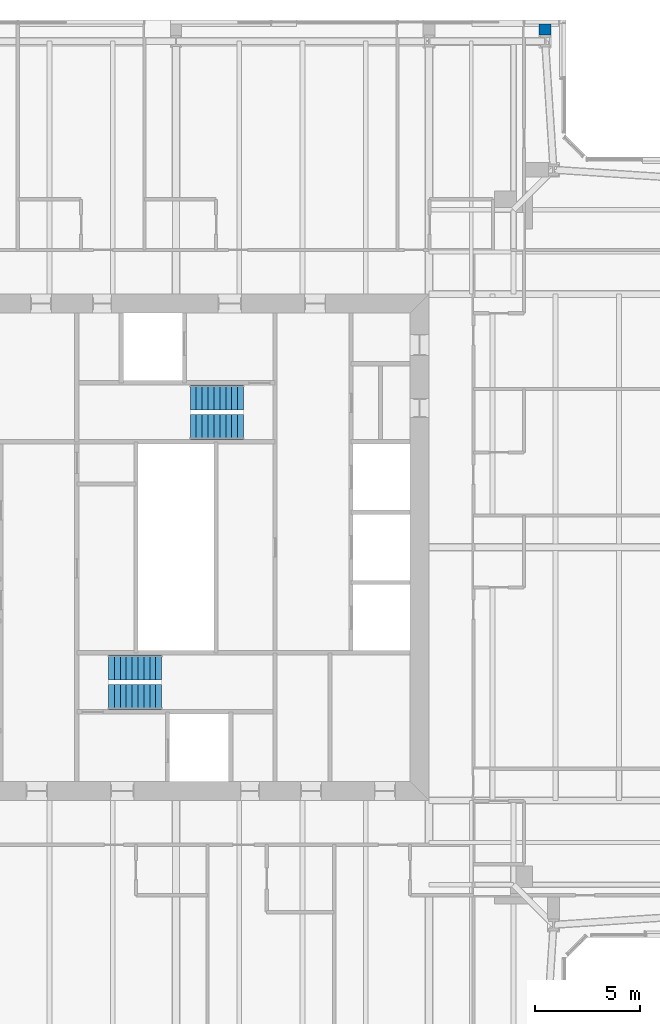
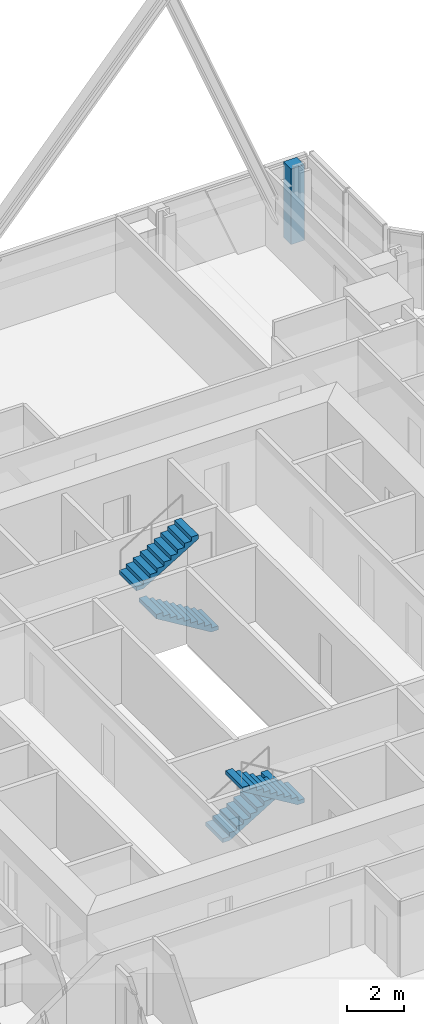
# One storey, part 15 of 20: 4 stair flights, 1 wall, 2 elements without a shape of their own.
"""IFC4 building model written with IfcOpenShell, lengths in metres."""

import ifcopenshell
import ifcopenshell.guid

model = None  # the IFC model being written
_history = None  # IfcOwnerHistory: only IFC2X3 demands one
_inside = {}  # id of a spatial element -> (the spatial element, [elements in it])
_under = {}  # id of a project, library or spatial element -> (it, [spatial elements below it])
_declared = {}  # id of a project -> (the project, [libraries it declares])
_typed = {}  # id of a type object -> (the type object, [elements of that type])
_made_of = {}  # id of a material, layer set ... -> (it, [elements and type objects made of it])


def new_model(schema):
    """Start an empty IFC model of exactly this schema.

    Asked for "IFC4X3", IfcOpenShell would pick the latest addendum, in which some entities
    have other attributes; the version numbers below select the first issue.
    IFC2X3 requires an IfcOwnerHistory on every rooted entity: one is made here for all.
    """
    global model, _history
    if schema == "IFC4X3":
        model = ifcopenshell.file(schema_version=(4, 3, 0, 0))
    else:
        model = ifcopenshell.file(schema=schema)
    _inside.clear()
    _under.clear()
    _declared.clear()
    _typed.clear()
    _made_of.clear()
    _history = None
    if model.schema == "IFC2X3":
        org = make("IfcOrganization", Name="unknown")
        user = make(
            "IfcPersonAndOrganization",
            ThePerson=make("IfcPerson", FamilyName="unknown"),
            TheOrganization=org,
        )
        app = make(
            "IfcApplication",
            ApplicationDeveloper=org,
            Version="unknown",
            ApplicationFullName="unknown",
            ApplicationIdentifier="unknown",
        )
        _history = make(
            "IfcOwnerHistory",
            OwningUser=user,
            OwningApplication=app,
            ChangeAction="ADDED",
            CreationDate=0,
        )
    return model


def make(cls, **values):
    """One entity of the class cls with the attributes given. An attribute that is None is left unset."""
    return model.create_entity(
        cls, **{name: value for name, value in values.items() if value is not None}
    )


def rooted(cls, **values):
    """An entity with a GlobalId (a new one), such as an element, a storey or a relation."""
    return make(cls, GlobalId=ifcopenshell.guid.new(), OwnerHistory=_history, **values)


def si_unit(unit_type, name, prefix=None):
    """IfcSIUnit, for example si_unit("LENGTHUNIT", "METRE", prefix="MILLI")."""
    return make("IfcSIUnit", UnitType=unit_type, Prefix=prefix, Name=name)


def assignment(units):
    """IfcUnitAssignment: the units of a project."""
    return None if units is None else make("IfcUnitAssignment", Units=units)


def point(xyz):
    """IfcCartesianPoint."""
    return None if xyz is None else make("IfcCartesianPoint", Coordinates=xyz)


def direction(xyz):
    """IfcDirection."""
    return None if xyz is None else make("IfcDirection", DirectionRatios=xyz)


def frame(location, z_axis=None, x_axis=None):
    """IfcAxis2Placement3D, a coordinate frame: its origin and axes. An axis left out is left unset."""
    return make(
        "IfcAxis2Placement3D",
        Location=point(location),
        Axis=direction(z_axis),
        RefDirection=direction(x_axis),
    )


def frame_2d(location, x_axis=None):
    """IfcAxis2Placement2D, a coordinate frame in the plane: its origin and x axis."""
    return make(
        "IfcAxis2Placement2D", Location=point(location), RefDirection=direction(x_axis)
    )


def origin():
    """The frame at (0, 0, 0) with its axes left unset."""
    return frame((0.0, 0.0, 0.0))


def place(relative_to, where):
    """IfcLocalPlacement: puts the frame where relative to a parent placement (None: the world)."""
    return make(
        "IfcLocalPlacement", PlacementRelTo=relative_to, RelativePlacement=where
    )


def context(
    kind, dimensions, precision=None, world=None, true_north=None, identifier=None
):
    """IfcGeometricRepresentationContext, for example the 3D "Model" context."""
    return make(
        "IfcGeometricRepresentationContext",
        ContextIdentifier=identifier,
        ContextType=kind,
        CoordinateSpaceDimension=dimensions,
        Precision=precision,
        WorldCoordinateSystem=world,
        TrueNorth=true_north,
    )


def subcontext(parent, identifier, kind, view, scale=None):
    """IfcGeometricRepresentationSubContext, for example "Body" below "Model"."""
    return make(
        "IfcGeometricRepresentationSubContext",
        ContextIdentifier=identifier,
        ContextType=kind,
        ParentContext=parent,
        TargetScale=scale,
        TargetView=view,
    )


def project(units=None, contexts=None):
    """IfcProject with its units and contexts."""
    return rooted(
        "IfcProject",
        Name="project",
        RepresentationContexts=contexts,
        UnitsInContext=assignment(units),
    )


def spatial(cls, under=None, at=None, **own):
    """A site, building, storey or space (cls), placed at a placement, below another one or the project."""
    s = rooted(cls, ObjectPlacement=at, **own)
    if under is not None:
        _under.setdefault(under.id(), (under, []))[1].append(s)
    return s


def polyline(points):
    """IfcPolyline through the points."""
    return make("IfcPolyline", Points=[point(p) for p in points])


def profile(cls, at=None, kind="AREA", **sizes):
    """A parametric profile (cls). Its sizes go by their IFC names, for example OverallWidth=200.0."""
    return make(cls, ProfileType=kind, Position=at, **sizes)


def rectangle(**sizes):
    """IfcRectangleProfileDef."""
    return profile("IfcRectangleProfileDef", **sizes)


def outline(outer, holes=None, kind="AREA"):
    """IfcArbitraryClosedProfileDef: a profile drawn as a closed curve; with holes, ...WithVoids."""
    if holes is None:
        return make("IfcArbitraryClosedProfileDef", ProfileType=kind, OuterCurve=outer)
    return make(
        "IfcArbitraryProfileDefWithVoids",
        ProfileType=kind,
        OuterCurve=outer,
        InnerCurves=holes,
    )


def extrude(swept, where, along, depth):
    """IfcExtrudedAreaSolid: the profile swept, set in the frame where, extruded along a direction by depth."""
    return make(
        "IfcExtrudedAreaSolid",
        SweptArea=swept,
        Position=where,
        ExtrudedDirection=direction(along),
        Depth=depth,
    )


def shape(context_of_items, identifier, shape_type, items):
    """IfcShapeRepresentation: the items that make up one representation, for example the "Body"."""
    return make(
        "IfcShapeRepresentation",
        ContextOfItems=context_of_items,
        RepresentationIdentifier=identifier,
        RepresentationType=shape_type,
        Items=items,
    )


def material(Name=None, Category=None):
    """IfcMaterial."""
    return make("IfcMaterial", Name=Name, Category=Category)


def layer(
    of_material, thickness, ventilated=None, Name=None, Category=None, Priority=None
):
    """IfcMaterialLayer: one layer of a wall or slab, of a material (None: an air gap)."""
    return make(
        "IfcMaterialLayer",
        Material=of_material,
        LayerThickness=thickness,
        IsVentilated=ventilated,
        Name=Name,
        Category=Category,
        Priority=Priority,
    )


def layer_set(layers, Name=None):
    """IfcMaterialLayerSet."""
    return make("IfcMaterialLayerSet", MaterialLayers=layers, LayerSetName=Name)


def made_of(thing, what):
    """Note that an element or type object is made of a material, layer set ...; save() writes the relation."""
    if what is not None:
        _made_of.setdefault(what.id(), (what, []))[1].append(thing)
    return thing


def type_object(cls, material=None, **own):
    """A type object (cls), such as IfcWallType, which elements share."""
    return made_of(rooted(cls, **own), material)


def element(
    cls,
    number,
    at=None,
    inside=None,
    cuts=None,
    type_object=None,
    material=None,
    context=None,
    identifier="Body",
    shape_type=None,
    held_by="IfcProductDefinitionShape",
    body=None,
    shapes=None,
    **own,
):
    """One element of the class cls, such as IfcWall. Its Tag is "e" and its number.

    at: its placement. inside: the storey or other place that contains it. cuts: it is an
    opening in that element (IfcRelVoidsElement). A single representation is given by context,
    identifier, shape_type and body (its items); several are given by shapes. held_by: the class
    of the entity that holds the representations. save() writes the other relations.
    """
    e = rooted(cls, Tag="e%d" % number, ObjectPlacement=at, **own)
    if body is not None:
        shapes = [shape(context, identifier, shape_type, body)]
    if shapes is not None:
        e.Representation = make(held_by, Representations=shapes)
    if inside is not None:
        _inside.setdefault(inside.id(), (inside, []))[1].append(e)
    if cuts is not None:
        rooted(
            "IfcRelVoidsElement", RelatingBuildingElement=cuts, RelatedOpeningElement=e
        )
    if type_object is not None:
        _typed.setdefault(type_object.id(), (type_object, []))[1].append(e)
    return made_of(e, material)


def aggregate(whole, parts):
    """IfcRelAggregates: a whole, such as a stair, and the parts it consists of."""
    return rooted("IfcRelAggregates", RelatingObject=whole, RelatedObjects=parts)


def save(model, path):
    """Write the relations noted so far, then the file.

    IfcRelAggregates (storeys below a building ...), IfcRelContainedInSpatialStructure (elements
    in a storey), IfcRelDefinesByType, IfcRelAssociatesMaterial and IfcRelDeclares: one each for
    every whole, place, type object, material and project.
    """
    for whole, parts in _under.values():
        aggregate(whole, parts)
    for where, things in _inside.values():
        rooted(
            "IfcRelContainedInSpatialStructure",
            RelatedElements=things,
            RelatingStructure=where,
        )
    for kind, things in _typed.values():
        rooted("IfcRelDefinesByType", RelatedObjects=things, RelatingType=kind)
    for what, things in _made_of.values():
        rooted("IfcRelAssociatesMaterial", RelatedObjects=things, RelatingMaterial=what)
    for by, libraries in _declared.values():
        rooted("IfcRelDeclares", RelatingContext=by, RelatedDefinitions=libraries)
    model.write(path)


model = new_model("IFC4")

# Units and contexts
model_context = context("Model", 3, precision=1e-05, world=origin(), true_north=direction((0.0, 1.0)))
body_context = subcontext(model_context, "Body", "Model", "MODEL_VIEW")
ifc_project = project(units=[si_unit("LENGTHUNIT", "METRE"), si_unit("AREAUNIT", "SQUARE_METRE"), si_unit("VOLUMEUNIT", "CUBIC_METRE"), si_unit("PLANEANGLEUNIT", "RADIAN"), si_unit("MASSUNIT", "GRAM", prefix="KILO")], contexts=[model_context])

# Site, building, storey
site_placement = place(None, origin())
site = spatial("IfcSite", under=ifc_project, at=site_placement, CompositionType="ELEMENT")
building_placement = place(site_placement, origin())
building = spatial("IfcBuilding", under=site, at=building_placement, Name="Fenwick Lantern Interchange", CompositionType="ELEMENT")
storey_placement = place(building_placement, frame((0.0, 0.0, 256.0)))
storey = spatial("IfcBuildingStorey", under=building, at=storey_placement, Name="L60", CompositionType="ELEMENT", Elevation=256.0)

# Wall
ifc_material_1 = material(Name="Fire-rated gypsum board encasement on steel studs, 2 hour", Category="steel")
ifc_layer = layer(ifc_material_1, 0.554931640625)
ifc_layer_set = layer_set([ifc_layer], Name="COLUMN PIER 555")
wall_type = type_object("IfcWallType", Name="COLUMN PIER 555", PredefinedType="PARTITIONING", material=ifc_layer_set)
wall_placement = place(storey_placement, frame((42.5, 49.81005859375, 0.0), z_axis=(0.0, 0.0, 1.0), x_axis=(0.0, -1.0, 0.0)))
element("IfcWall", 1, at=wall_placement, inside=storey, type_object=wall_type, Name="L60/W/PIER/CN1", PredefinedType="PARTITIONING", context=body_context, shape_type="SweptSolid", body=[
    extrude(rectangle(XDim=0.525634765625, YDim=0.554931640625, at=frame_2d((0.2626953125, 0.0))), origin(), (0.0, 0.0, 1.0), 3.25),
])

# Stair, stair flights
ifc_material_2 = material(Name="Precast concrete f'c 35 MPa", Category="concrete")
stair_type = type_object("IfcStairType", Name="EXIT STAIR 1200", PredefinedType="HALF_TURN_STAIR", material=ifc_material_2)
stair_1_placement = place(storey_placement, origin())
stair_1 = element("IfcStair", 2, at=stair_1_placement, inside=storey, type_object=stair_type, Name="Exit stair ST1", PredefinedType="HALF_TURN_STAIR")
stair_flight_type = type_object("IfcStairFlightType", Name="STAIR FLIGHT 1200", PredefinedType="STRAIGHT", material=ifc_material_2)
stair_flight_1_placement = place(storey_placement, frame((21.800048828125, 19.300048828125, 0.0), z_axis=(0.0, 0.0, 1.0), x_axis=(1.0, 0.0, 0.0)))
stair_flight_1 = element("IfcStairFlight", 3, at=stair_flight_1_placement, type_object=stair_flight_type, Name="ST1 flight 1", NumberOfRisers=10, NumberOfTreads=9, PredefinedType="STRAIGHT", RiserHeight=0.17, TreadLength=0.28, context=body_context, shape_type="SweptSolid", body=[
    extrude(outline(polyline([(0.0, 0.0), (0.0, 0.169921875), (0.280029296875, 0.169921875), (0.280029296875, 0.340087890625), (0.56005859375, 0.340087890625), (0.56005859375, 0.510009765625), (0.840087890625, 0.510009765625), (0.840087890625, 0.679931640625), (1.1201171875, 0.679931640625), (1.1201171875, 0.85009765625), (1.39990234375, 0.85009765625), (1.39990234375, 1.02001953125), (1.679931640625, 1.02001953125), (1.679931640625, 1.18994140625), (1.9599609375, 1.18994140625), (1.9599609375, 1.360107421875), (2.239990234375, 1.360107421875), (2.239990234375, 1.530029296875), (2.52001953125, 1.530029296875), (2.52001953125, 1.699951171875), (2.52001953125, 1.354736328125), (0.288818359375, 0.0), (0.0, 0.0)])), frame((0.0, 0.60009765625, 0.0), z_axis=(0.0, -1.0, 0.0), x_axis=(1.0, 0.0, 0.0)), (0.0, 0.0, 1.0), 1.199951171875),
])
stair_flight_2_placement = place(storey_placement, frame((24.320068359375, 17.89990234375, 1.699951171875), z_axis=(0.0, 0.0, 1.0), x_axis=(-1.0, 0.0, 0.0)))
stair_flight_2 = element("IfcStairFlight", 4, at=stair_flight_2_placement, type_object=stair_flight_type, Name="ST1 flight 2", NumberOfRisers=10, NumberOfTreads=9, PredefinedType="STRAIGHT", RiserHeight=0.17, TreadLength=0.28, context=body_context, shape_type="SweptSolid", body=[
    extrude(outline(polyline([(0.0, 0.0), (0.0, 0.169921875), (0.280029296875, 0.169921875), (0.280029296875, 0.340087890625), (0.56005859375, 0.340087890625), (0.56005859375, 0.510009765625), (0.840087890625, 0.510009765625), (0.840087890625, 0.679931640625), (1.1201171875, 0.679931640625), (1.1201171875, 0.85009765625), (1.39990234375, 0.85009765625), (1.39990234375, 1.02001953125), (1.679931640625, 1.02001953125), (1.679931640625, 1.18994140625), (1.9599609375, 1.18994140625), (1.9599609375, 1.360107421875), (2.239990234375, 1.360107421875), (2.239990234375, 1.530029296875), (2.52001953125, 1.530029296875), (2.52001953125, 1.699951171875), (2.52001953125, 1.354736328125), (0.288818359375, 0.0), (0.0, 0.0)])), frame((0.0, 0.60009765625, 0.0), z_axis=(0.0, -1.0, 0.0), x_axis=(1.0, 0.0, 0.0)), (0.0, 0.0, 1.0), 1.199951171875),
])
aggregate(stair_1, [stair_flight_1, stair_flight_2])

stair_2_placement = place(storey_placement, origin())
stair_2 = element("IfcStair", 5, at=stair_2_placement, inside=storey, type_object=stair_type, Name="Exit stair ST2", PredefinedType="HALF_TURN_STAIR")
stair_flight_3_placement = place(storey_placement, frame((28.199951171875, 30.699951171875, 0.0), z_axis=(0.0, 0.0, 1.0), x_axis=(-1.0, 0.0, 0.0)))
stair_flight_3 = element("IfcStairFlight", 6, at=stair_flight_3_placement, type_object=stair_flight_type, Name="ST2 flight 1", NumberOfRisers=10, NumberOfTreads=9, PredefinedType="STRAIGHT", RiserHeight=0.17, TreadLength=0.28, context=body_context, shape_type="SweptSolid", body=[
    extrude(outline(polyline([(0.0, 0.0), (0.0, 0.169921875), (0.280029296875, 0.169921875), (0.280029296875, 0.340087890625), (0.56005859375, 0.340087890625), (0.56005859375, 0.510009765625), (0.840087890625, 0.510009765625), (0.840087890625, 0.679931640625), (1.1201171875, 0.679931640625), (1.1201171875, 0.85009765625), (1.39990234375, 0.85009765625), (1.39990234375, 1.02001953125), (1.679931640625, 1.02001953125), (1.679931640625, 1.18994140625), (1.9599609375, 1.18994140625), (1.9599609375, 1.360107421875), (2.239990234375, 1.360107421875), (2.239990234375, 1.530029296875), (2.52001953125, 1.530029296875), (2.52001953125, 1.699951171875), (2.52001953125, 1.354736328125), (0.288818359375, 0.0), (0.0, 0.0)])), frame((0.0, 0.60009765625, 0.0), z_axis=(0.0, -1.0, 0.0), x_axis=(1.0, 0.0, 0.0)), (0.0, 0.0, 1.0), 1.199951171875),
])
stair_flight_4_placement = place(storey_placement, frame((25.679931640625, 32.10009765625, 1.699951171875), z_axis=(0.0, 0.0, 1.0), x_axis=(1.0, 0.0, 0.0)))
stair_flight_4 = element("IfcStairFlight", 7, at=stair_flight_4_placement, type_object=stair_flight_type, Name="ST2 flight 2", NumberOfRisers=10, NumberOfTreads=9, PredefinedType="STRAIGHT", RiserHeight=0.17, TreadLength=0.28, context=body_context, shape_type="SweptSolid", body=[
    extrude(outline(polyline([(0.0, 0.0), (0.0, 0.169921875), (0.280029296875, 0.169921875), (0.280029296875, 0.340087890625), (0.56005859375, 0.340087890625), (0.56005859375, 0.510009765625), (0.840087890625, 0.510009765625), (0.840087890625, 0.679931640625), (1.1201171875, 0.679931640625), (1.1201171875, 0.85009765625), (1.39990234375, 0.85009765625), (1.39990234375, 1.02001953125), (1.679931640625, 1.02001953125), (1.679931640625, 1.18994140625), (1.9599609375, 1.18994140625), (1.9599609375, 1.360107421875), (2.239990234375, 1.360107421875), (2.239990234375, 1.530029296875), (2.52001953125, 1.530029296875), (2.52001953125, 1.699951171875), (2.52001953125, 1.354736328125), (0.288818359375, 0.0), (0.0, 0.0)])), frame((0.0, 0.60009765625, 0.0), z_axis=(0.0, -1.0, 0.0), x_axis=(1.0, 0.0, 0.0)), (0.0, 0.0, 1.0), 1.199951171875),
])
aggregate(stair_2, [stair_flight_3, stair_flight_4])

save(model, "model.ifc")
